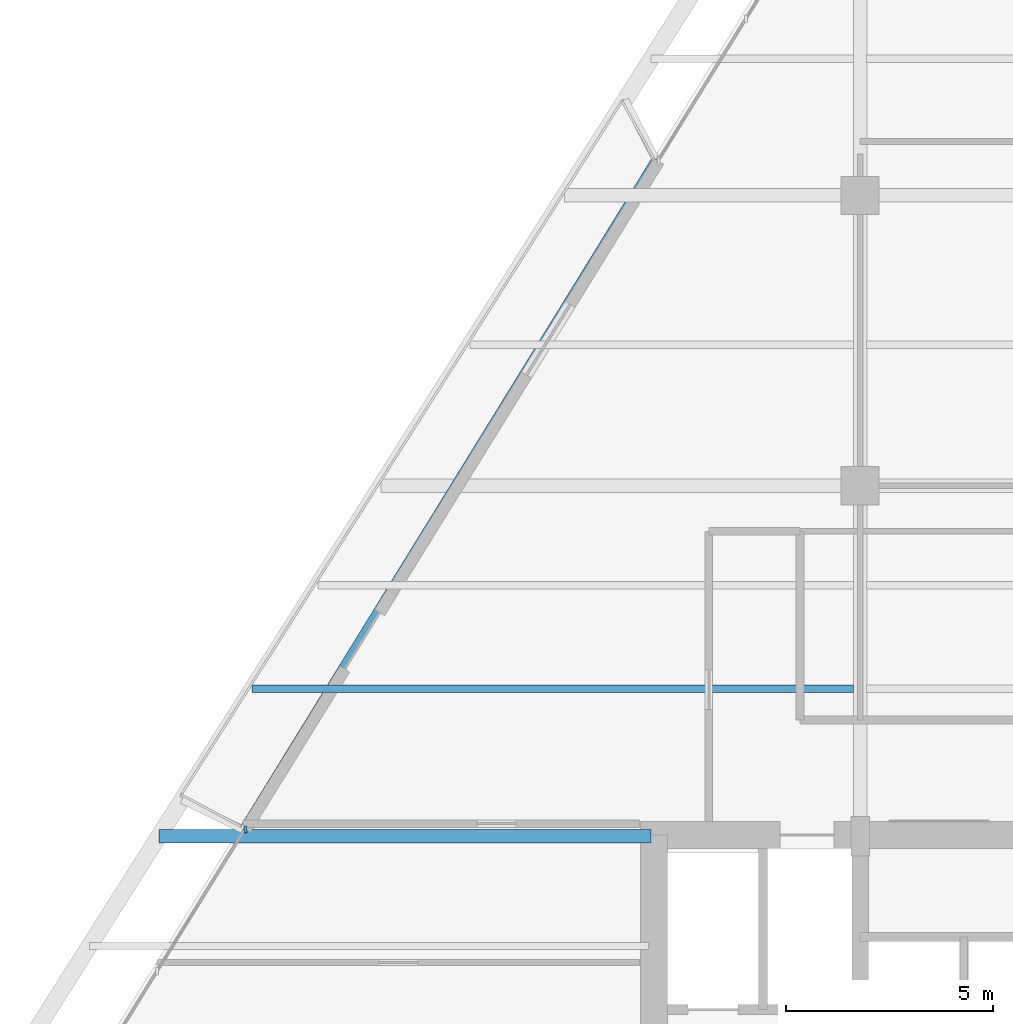
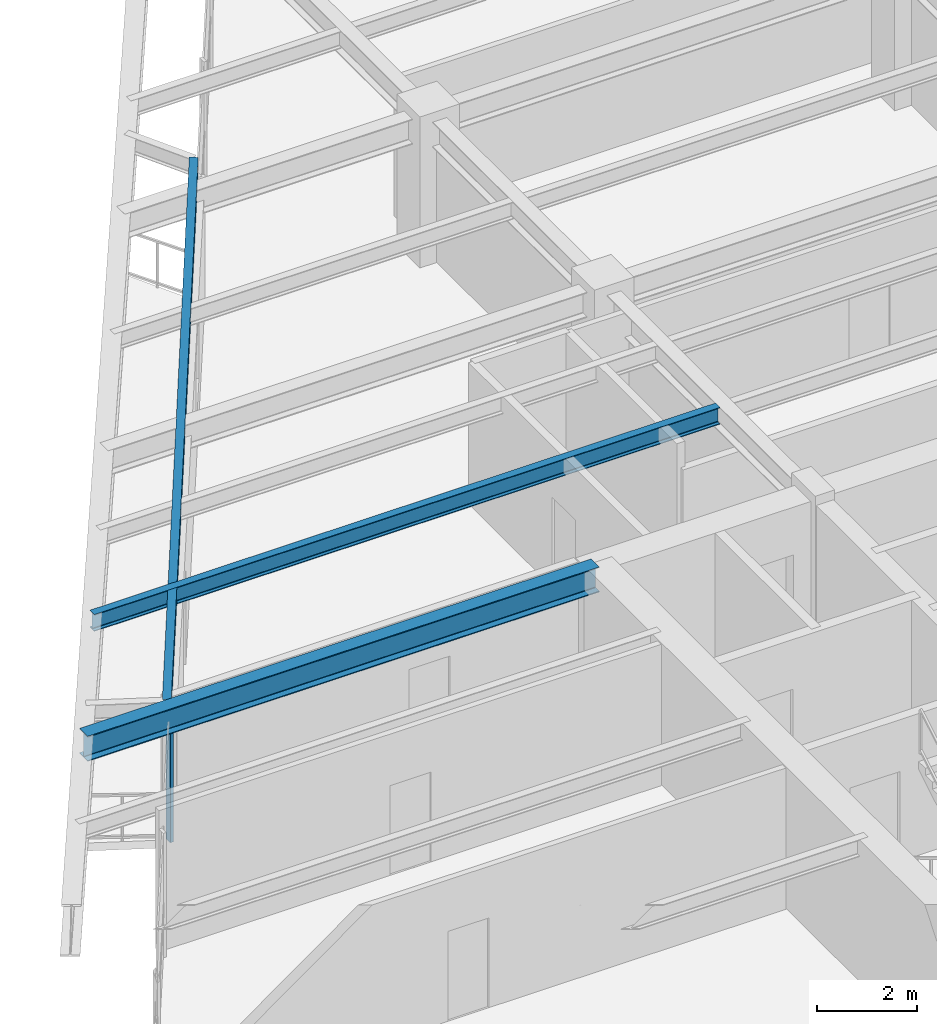
# One storey, part 4 of 15: 3 beams, 1 member, 1 element without a shape of its own.
"""IFC4 building model written with IfcOpenShell, lengths in metres."""

import ifcopenshell
import ifcopenshell.guid

model = None  # the IFC model being written
_history = None  # IfcOwnerHistory: only IFC2X3 demands one
_inside = {}  # id of a spatial element -> (the spatial element, [elements in it])
_under = {}  # id of a project, library or spatial element -> (it, [spatial elements below it])
_declared = {}  # id of a project -> (the project, [libraries it declares])
_typed = {}  # id of a type object -> (the type object, [elements of that type])
_made_of = {}  # id of a material, layer set ... -> (it, [elements and type objects made of it])


def new_model(schema):
    """Start an empty IFC model of exactly this schema.

    Asked for "IFC4X3", IfcOpenShell would pick the latest addendum, in which some entities
    have other attributes; the version numbers below select the first issue.
    IFC2X3 requires an IfcOwnerHistory on every rooted entity: one is made here for all.
    """
    global model, _history
    if schema == "IFC4X3":
        model = ifcopenshell.file(schema_version=(4, 3, 0, 0))
    else:
        model = ifcopenshell.file(schema=schema)
    _inside.clear()
    _under.clear()
    _declared.clear()
    _typed.clear()
    _made_of.clear()
    _history = None
    if model.schema == "IFC2X3":
        org = make("IfcOrganization", Name="unknown")
        user = make(
            "IfcPersonAndOrganization",
            ThePerson=make("IfcPerson", FamilyName="unknown"),
            TheOrganization=org,
        )
        app = make(
            "IfcApplication",
            ApplicationDeveloper=org,
            Version="unknown",
            ApplicationFullName="unknown",
            ApplicationIdentifier="unknown",
        )
        _history = make(
            "IfcOwnerHistory",
            OwningUser=user,
            OwningApplication=app,
            ChangeAction="ADDED",
            CreationDate=0,
        )
    return model


def make(cls, **values):
    """One entity of the class cls with the attributes given. An attribute that is None is left unset."""
    return model.create_entity(
        cls, **{name: value for name, value in values.items() if value is not None}
    )


def rooted(cls, **values):
    """An entity with a GlobalId (a new one), such as an element, a storey or a relation."""
    return make(cls, GlobalId=ifcopenshell.guid.new(), OwnerHistory=_history, **values)


def si_unit(unit_type, name, prefix=None):
    """IfcSIUnit, for example si_unit("LENGTHUNIT", "METRE", prefix="MILLI")."""
    return make("IfcSIUnit", UnitType=unit_type, Prefix=prefix, Name=name)


def assignment(units):
    """IfcUnitAssignment: the units of a project."""
    return None if units is None else make("IfcUnitAssignment", Units=units)


def point(xyz):
    """IfcCartesianPoint."""
    return None if xyz is None else make("IfcCartesianPoint", Coordinates=xyz)


def direction(xyz):
    """IfcDirection."""
    return None if xyz is None else make("IfcDirection", DirectionRatios=xyz)


def frame(location, z_axis=None, x_axis=None):
    """IfcAxis2Placement3D, a coordinate frame: its origin and axes. An axis left out is left unset."""
    return make(
        "IfcAxis2Placement3D",
        Location=point(location),
        Axis=direction(z_axis),
        RefDirection=direction(x_axis),
    )


def frame_2d(location, x_axis=None):
    """IfcAxis2Placement2D, a coordinate frame in the plane: its origin and x axis."""
    return make(
        "IfcAxis2Placement2D", Location=point(location), RefDirection=direction(x_axis)
    )


def origin():
    """The frame at (0, 0, 0) with its axes left unset."""
    return frame((0.0, 0.0, 0.0))


def origin_2d():
    """The frame at (0, 0) in the plane with its x axis left unset."""
    return frame_2d((0.0, 0.0))


def place(relative_to, where):
    """IfcLocalPlacement: puts the frame where relative to a parent placement (None: the world)."""
    return make(
        "IfcLocalPlacement", PlacementRelTo=relative_to, RelativePlacement=where
    )


def context(
    kind, dimensions, precision=None, world=None, true_north=None, identifier=None
):
    """IfcGeometricRepresentationContext, for example the 3D "Model" context."""
    return make(
        "IfcGeometricRepresentationContext",
        ContextIdentifier=identifier,
        ContextType=kind,
        CoordinateSpaceDimension=dimensions,
        Precision=precision,
        WorldCoordinateSystem=world,
        TrueNorth=true_north,
    )


def subcontext(parent, identifier, kind, view, scale=None):
    """IfcGeometricRepresentationSubContext, for example "Body" below "Model"."""
    return make(
        "IfcGeometricRepresentationSubContext",
        ContextIdentifier=identifier,
        ContextType=kind,
        ParentContext=parent,
        TargetScale=scale,
        TargetView=view,
    )


def project(units=None, contexts=None):
    """IfcProject with its units and contexts."""
    return rooted(
        "IfcProject",
        Name="project",
        RepresentationContexts=contexts,
        UnitsInContext=assignment(units),
    )


def spatial(cls, under=None, at=None, **own):
    """A site, building, storey or space (cls), placed at a placement, below another one or the project."""
    s = rooted(cls, ObjectPlacement=at, **own)
    if under is not None:
        _under.setdefault(under.id(), (under, []))[1].append(s)
    return s


def profile(cls, at=None, kind="AREA", **sizes):
    """A parametric profile (cls). Its sizes go by their IFC names, for example OverallWidth=200.0."""
    return make(cls, ProfileType=kind, Position=at, **sizes)


def rectangle(**sizes):
    """IfcRectangleProfileDef."""
    return profile("IfcRectangleProfileDef", **sizes)


def i_section(**sizes):
    """IfcIShapeProfileDef."""
    return profile("IfcIShapeProfileDef", **sizes)


def extrude(swept, where, along, depth):
    """IfcExtrudedAreaSolid: the profile swept, set in the frame where, extruded along a direction by depth."""
    return make(
        "IfcExtrudedAreaSolid",
        SweptArea=swept,
        Position=where,
        ExtrudedDirection=direction(along),
        Depth=depth,
    )


def shape(context_of_items, identifier, shape_type, items):
    """IfcShapeRepresentation: the items that make up one representation, for example the "Body"."""
    return make(
        "IfcShapeRepresentation",
        ContextOfItems=context_of_items,
        RepresentationIdentifier=identifier,
        RepresentationType=shape_type,
        Items=items,
    )


def source(mapping_origin, context_of_items, identifier, shape_type, items):
    """IfcRepresentationMap: a shape defined once, which mapped items show again and again."""
    return make(
        "IfcRepresentationMap",
        MappingOrigin=mapping_origin,
        MappedRepresentation=shape(context_of_items, identifier, shape_type, items),
    )


def transform(
    local_origin,
    x_axis=None,
    y_axis=None,
    z_axis=None,
    scale=None,
    scale2=None,
    scale3=None,
    uniform=True,
):
    """IfcCartesianTransformationOperator3D, or its non-uniform kind. x_axis, y_axis, z_axis: its Axis1, 2, 3."""
    if uniform:
        return make(
            "IfcCartesianTransformationOperator3D",
            Axis1=direction(x_axis),
            Axis2=direction(y_axis),
            LocalOrigin=point(local_origin),
            Scale=scale,
            Axis3=direction(z_axis),
        )
    return make(
        "IfcCartesianTransformationOperator3DnonUniform",
        Axis1=direction(x_axis),
        Axis2=direction(y_axis),
        LocalOrigin=point(local_origin),
        Scale=scale,
        Axis3=direction(z_axis),
        Scale2=scale2,
        Scale3=scale3,
    )


def mapped(mapping_source, mapping_target):
    """IfcMappedItem: shows the shape of a source again, moved by a transform."""
    return make(
        "IfcMappedItem", MappingSource=mapping_source, MappingTarget=mapping_target
    )


def material(Name=None, Category=None):
    """IfcMaterial."""
    return make("IfcMaterial", Name=Name, Category=Category)


def material_profile(
    of_material, cross_section, Name=None, Category=None, Priority=None
):
    """IfcMaterialProfile: a cross section and its material."""
    return make(
        "IfcMaterialProfile",
        Name=Name,
        Material=of_material,
        Profile=cross_section,
        Priority=Priority,
        Category=Category,
    )


def profile_set(profiles, Name=None, composite=None):
    """IfcMaterialProfileSet."""
    return make(
        "IfcMaterialProfileSet",
        Name=Name,
        MaterialProfiles=profiles,
        CompositeProfile=composite,
    )


def made_of(thing, what):
    """Note that an element or type object is made of a material, layer set ...; save() writes the relation."""
    if what is not None:
        _made_of.setdefault(what.id(), (what, []))[1].append(thing)
    return thing


def type_object(cls, material=None, **own):
    """A type object (cls), such as IfcWallType, which elements share."""
    return made_of(rooted(cls, **own), material)


def element(
    cls,
    number,
    at=None,
    inside=None,
    cuts=None,
    type_object=None,
    material=None,
    context=None,
    identifier="Body",
    shape_type=None,
    held_by="IfcProductDefinitionShape",
    body=None,
    shapes=None,
    **own,
):
    """One element of the class cls, such as IfcWall. Its Tag is "e" and its number.

    at: its placement. inside: the storey or other place that contains it. cuts: it is an
    opening in that element (IfcRelVoidsElement). A single representation is given by context,
    identifier, shape_type and body (its items); several are given by shapes. held_by: the class
    of the entity that holds the representations. save() writes the other relations.
    """
    e = rooted(cls, Tag="e%d" % number, ObjectPlacement=at, **own)
    if body is not None:
        shapes = [shape(context, identifier, shape_type, body)]
    if shapes is not None:
        e.Representation = make(held_by, Representations=shapes)
    if inside is not None:
        _inside.setdefault(inside.id(), (inside, []))[1].append(e)
    if cuts is not None:
        rooted(
            "IfcRelVoidsElement", RelatingBuildingElement=cuts, RelatedOpeningElement=e
        )
    if type_object is not None:
        _typed.setdefault(type_object.id(), (type_object, []))[1].append(e)
    return made_of(e, material)


def aggregate(whole, parts):
    """IfcRelAggregates: a whole, such as a stair, and the parts it consists of."""
    return rooted("IfcRelAggregates", RelatingObject=whole, RelatedObjects=parts)


def save(model, path):
    """Write the relations noted so far, then the file.

    IfcRelAggregates (storeys below a building ...), IfcRelContainedInSpatialStructure (elements
    in a storey), IfcRelDefinesByType, IfcRelAssociatesMaterial and IfcRelDeclares: one each for
    every whole, place, type object, material and project.
    """
    for whole, parts in _under.values():
        aggregate(whole, parts)
    for where, things in _inside.values():
        rooted(
            "IfcRelContainedInSpatialStructure",
            RelatedElements=things,
            RelatingStructure=where,
        )
    for kind, things in _typed.values():
        rooted("IfcRelDefinesByType", RelatedObjects=things, RelatingType=kind)
    for what, things in _made_of.values():
        rooted("IfcRelAssociatesMaterial", RelatedObjects=things, RelatingMaterial=what)
    for by, libraries in _declared.values():
        rooted("IfcRelDeclares", RelatingContext=by, RelatedDefinitions=libraries)
    model.write(path)


model = new_model("IFC4")

# Units and contexts
model_context = context("Model", 3, precision=1e-05, world=origin(), true_north=direction((0.0, 1.0)))
body_context = subcontext(model_context, "Body", "Model", "MODEL_VIEW")
ifc_project = project(units=[si_unit("LENGTHUNIT", "METRE"), si_unit("AREAUNIT", "SQUARE_METRE"), si_unit("VOLUMEUNIT", "CUBIC_METRE"), si_unit("PLANEANGLEUNIT", "RADIAN"), si_unit("MASSUNIT", "GRAM", prefix="KILO")], contexts=[model_context])

# Site, building, storey
site_placement = place(None, origin())
site = spatial("IfcSite", under=ifc_project, at=site_placement, CompositionType="ELEMENT")
building_placement = place(site_placement, origin())
building = spatial("IfcBuilding", under=site, at=building_placement, Name="Varnakhor Terracotta Tower", CompositionType="ELEMENT")
storey_placement = place(building_placement, frame((0.0, 0.0, 189.5)))
storey = spatial("IfcBuildingStorey", under=building, at=storey_placement, Name="L48", CompositionType="ELEMENT", Elevation=189.5)

# Beams
ifc_material_1 = material(Name="Steel S355", Category="steel")
ifc_material_profile_1 = material_profile(ifc_material_1, i_section(OverallWidth=0.179931640625, OverallDepth=0.39990234375, WebThickness=0.008544921875, FlangeThickness=0.013427734375, FilletRadius=0.01806640625, at=origin_2d()), Name="IPE400")
ifc_profile_set_1 = profile_set([ifc_material_profile_1], Name="Steel S355")
beam_type_1 = type_object("IfcBeamType", Name="JST-IPE400", PredefinedType="JOIST", material=ifc_profile_set_1)
shared_shape_1 = source(origin(), body_context, "Body", "SweptSolid", [
    extrude(i_section(OverallWidth=0.179931640625, OverallDepth=0.39990234375, WebThickness=0.008544921875, FlangeThickness=0.013427734375, FilletRadius=0.01806640625, at=origin_2d()), origin(), (0.0, 0.0, 1.0), 18.9892578125),
])
beam_1_placement = place(storey_placement, frame((-10.4306640625, 32.37646484375, 3.27001953125), z_axis=(-0.524453175738, -0.851439291117, 0.0), x_axis=(0.851439291117, -0.524453175738, 0.0)))
element("IfcBeam", 1, at=beam_1_placement, inside=storey, type_object=beam_type_1, Name="L48 Loggia Edge Beam 2", PredefinedType="JOIST", context=body_context, shape_type="MappedRepresentation", body=[
    mapped(shared_shape_1, transform((0.0, 0.0, 0.0), scale=1.0)),
])
ifc_material_profile_2 = material_profile(ifc_material_1, i_section(OverallWidth=0.324951171875, OverallDepth=0.615966796875, WebThickness=0.013916015625, FlangeThickness=0.02197265625, FilletRadius=0.01806640625, at=origin_2d()), Name="W24X117")
ifc_profile_set_2 = profile_set([ifc_material_profile_2], Name="Steel S355")
beam_type_2 = type_object("IfcBeamType", Name="BM-W24X117", PredefinedType="BEAM", material=ifc_profile_set_2)
shared_shape_2 = source(origin(), body_context, "Body", "SweptSolid", [
    extrude(i_section(OverallWidth=0.324951171875, OverallDepth=0.615966796875, WebThickness=0.013916015625, FlangeThickness=0.02197265625, FilletRadius=0.01806640625, at=origin_2d()), origin(), (0.0, 0.0, 1.0), 11.8603515625),
])
beam_2_placement = place(storey_placement, frame((-22.410400390625, 16.050048828125, 3.162109375), z_axis=(1.0, 0.0, 0.0), x_axis=(0.0, 1.0, 0.0)))
element("IfcBeam", 2, at=beam_2_placement, inside=storey, type_object=beam_type_2, Name="L48 Wing Girder W", PredefinedType="BEAM", context=body_context, shape_type="MappedRepresentation", body=[
    mapped(shared_shape_2, transform((0.0, 0.0, 0.0), scale=1.0)),
])
ifc_material_profile_3 = material_profile(ifc_material_1, i_section(OverallWidth=0.179931640625, OverallDepth=0.4130859375, WebThickness=0.009765625, FlangeThickness=0.01611328125, FilletRadius=0.01806640625, at=origin_2d()), Name="W16X50")
ifc_profile_set_3 = profile_set([ifc_material_profile_3], Name="Steel S355")
beam_type_3 = type_object("IfcBeamType", Name="JST-W16X50", PredefinedType="JOIST", material=ifc_profile_set_3)
shared_shape_3 = source(origin(), body_context, "Body", "SweptSolid", [
    extrude(i_section(OverallWidth=0.179931640625, OverallDepth=0.4130859375, WebThickness=0.009765625, FlangeThickness=0.01611328125, FilletRadius=0.01806640625, at=origin_2d()), origin(), (0.0, 0.0, 1.0), 14.504150390625),
])
beam_3_placement = place(storey_placement, frame((-20.16259765625, 19.60009765625, 3.263427734375), z_axis=(1.0, 0.0, 0.0), x_axis=(0.0, 1.0, 0.0)))
element("IfcBeam", 3, at=beam_3_placement, inside=storey, type_object=beam_type_3, Name="L48 Composite Floor Joist 4-1", PredefinedType="JOIST", context=body_context, shape_type="MappedRepresentation", body=[
    mapped(shared_shape_3, transform((0.0, 0.0, 0.0), scale=1.0)),
])

# Curtain wall, member
ifc_material_2 = material(Name="Anodised Aluminium Curtain Wall System", Category="aluminium")
curtain_wall_type = type_object("IfcCurtainWallType", Name="CW-SYS-MID-OFFICE", PredefinedType="NOTDEFINED", material=ifc_material_2)
curtain_wall_placement = place(storey_placement, origin())
curtain_wall = element("IfcCurtainWall", 4, at=curtain_wall_placement, inside=storey, type_object=curtain_wall_type, Name="L48 W Facet Curtain Wall 1", PredefinedType="NOTDEFINED")
ifc_material_3 = material(Name="Anodised Aluminium 6063-T6", Category="aluminium")
ifc_material_profile_4 = material_profile(ifc_material_3, rectangle(XDim=0.070068359375, YDim=0.175048828125, at=origin_2d()), Name="ALU MULLION 70x175")
ifc_profile_set_4 = profile_set([ifc_material_profile_4], Name="Anodised Aluminium 6063-T6")
member_type = type_object("IfcMemberType", Name="CWM-03", PredefinedType="MULLION", material=ifc_profile_set_4)
shared_shape_4 = source(origin(), body_context, "Body", "SweptSolid", [
    extrude(rectangle(XDim=0.070068359375, YDim=0.175048828125, at=origin_2d()), origin(), (0.0, 0.0, 1.0), 3.050048828125),
])
member_placement = place(storey_placement, frame((-20.322265625, 16.210205078125, 0.0), z_axis=(0.0, 0.0, 1.0), x_axis=(1.0, 0.0, 0.0)))
member = element("IfcMember", 5, at=member_placement, type_object=member_type, Name="L48 W Loggia Jamb Closure Mullion 1", PredefinedType="MULLION", context=body_context, shape_type="MappedRepresentation", body=[
    mapped(shared_shape_4, transform((0.0, 0.0, 0.0), scale=1.0)),
])
aggregate(curtain_wall, [member])

save(model, "model.ifc")
